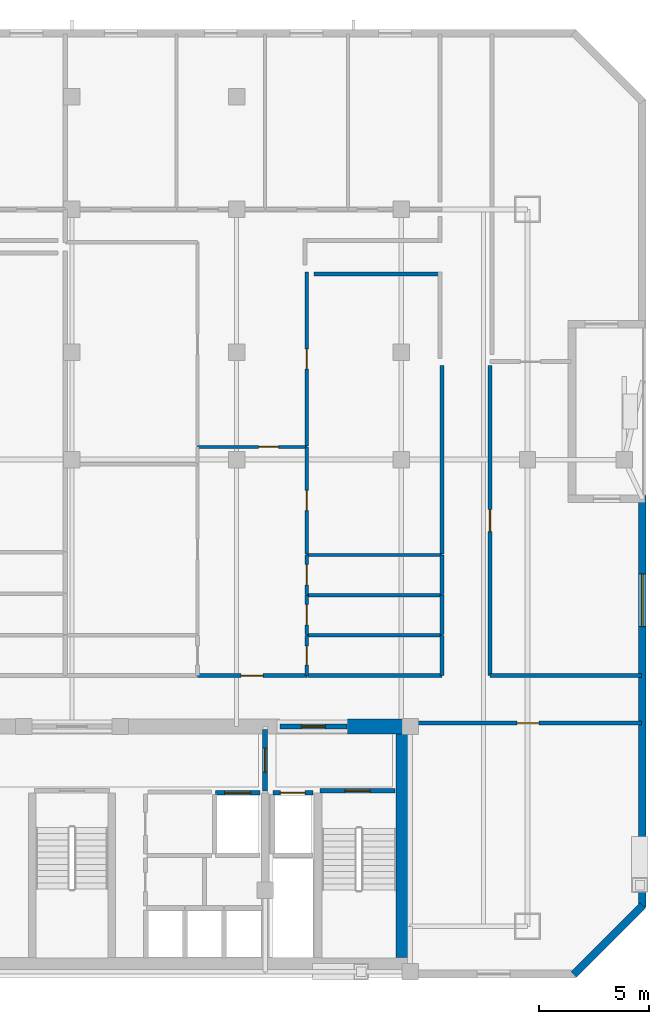
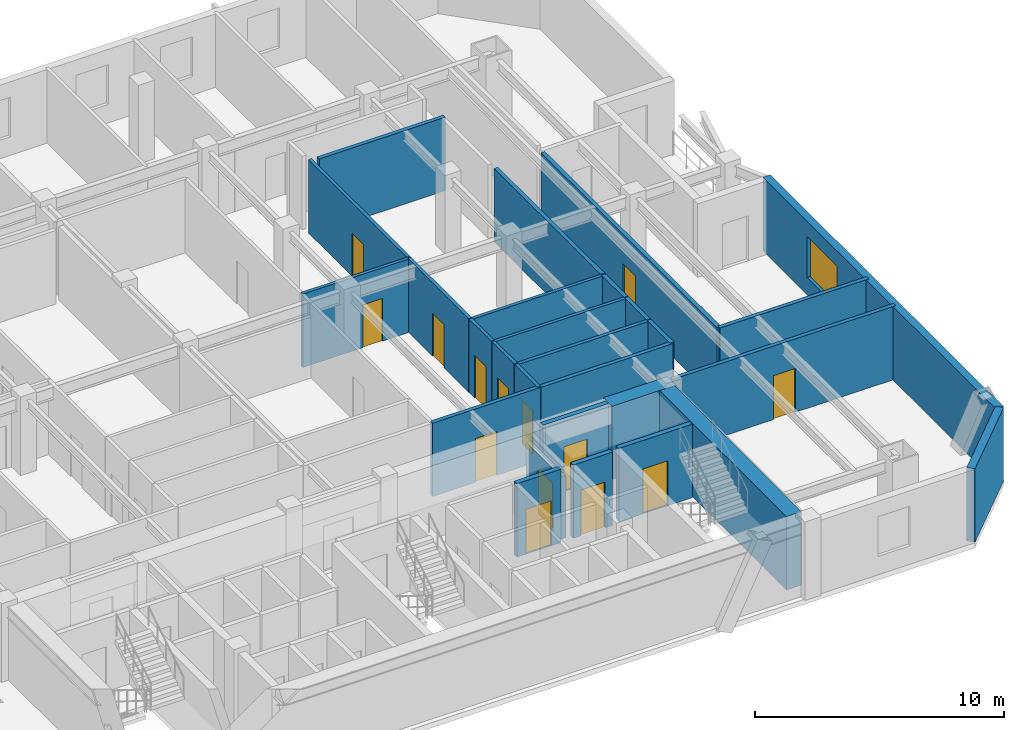
# One storey, part 5 of 9: 28 walls, 14 doors, 1 window, 15 openings.
"""IFC4 building model written with IfcOpenShell, lengths in metres."""

from ifc_helpers import new_model, si_unit, direction, frame, frame_2d, origin, place, context, subcontext, project, spatial, rectangle, extrude, material, layer, layer_set, type_object, element, fill, save


model = new_model("IFC4")

# Units and contexts
model_context = context("Model", 3, precision=1e-05, world=origin(), true_north=direction((0.0, 1.0)))
body_context = subcontext(model_context, "Body", "Model", "MODEL_VIEW")
ifc_project = project(units=[si_unit("LENGTHUNIT", "METRE"), si_unit("AREAUNIT", "SQUARE_METRE"), si_unit("VOLUMEUNIT", "CUBIC_METRE"), si_unit("PLANEANGLEUNIT", "RADIAN"), si_unit("MASSUNIT", "GRAM", prefix="KILO")], contexts=[model_context])

# Site, building, storey
site_placement = place(None, origin())
site = spatial("IfcSite", under=ifc_project, at=site_placement, CompositionType="ELEMENT")
building_placement = place(site_placement, origin())
building = spatial("IfcBuilding", under=site, at=building_placement, Name="Ventersveld Concourse Tower", CompositionType="ELEMENT")
storey_placement = place(building_placement, frame((0.0, 0.0, 115.699951171875)))
storey = spatial("IfcBuildingStorey", under=building, at=storey_placement, Name="L28", CompositionType="ELEMENT", Elevation=115.699951171875)

# Walls
ifc_material_1 = material(Name="Concrete C60/75", Category="concrete")
ifc_layer_1 = layer(ifc_material_1, 0.699951171875)
ifc_layer_set_1 = layer_set([ifc_layer_1], Name="Concrete C60/75")
wall_type_1 = type_object("IfcWallType", Name="WL-CORE-700", PredefinedType="SHEAR", material=ifc_layer_set_1)
wall_1_placement = place(storey_placement, frame((43.85009765625, 0.919921875, 0.0), z_axis=(0.0, 0.0, 1.0), x_axis=(0.0, 1.0, 0.0)))
element("IfcWall", 1, at=wall_1_placement, inside=storey, type_object=wall_type_1, Name="L28 Rear Core East Shear Wall", PredefinedType="SHEAR", context=body_context, shape_type="SweptSolid", body=[
    extrude(rectangle(XDim=10.530029296875, YDim=0.699951171875, at=frame_2d((5.26513671875, 0.0))), origin(), (0.0, 0.0, 1.0), 3.60009765625),
])
wall_2_placement = place(storey_placement, frame((41.300048828125, 11.449951171875, 0.0), z_axis=(0.0, 0.0, 1.0), x_axis=(1.0, 0.0, 0.0)))
element("IfcWall", 2, at=wall_2_placement, inside=storey, type_object=wall_type_1, Name="L28 Rear Core North Shear Wall NE", PredefinedType="SHEAR", context=body_context, shape_type="SweptSolid", body=[
    extrude(rectangle(XDim=2.949951171875, YDim=0.699951171875, at=frame_2d((1.47509765625, 0.0))), origin(), (0.0, 0.0, 1.0), 3.60009765625),
])

# Wall, opening, door
ifc_material_2 = material(Name="Fire-rated autoclaved aerated masonry blockwork", Category="masonry")
ifc_layer_2 = layer(ifc_material_2, 0.179931640625)
ifc_layer_set_2 = layer_set([ifc_layer_2], Name="Fire-rated autoclaved aerated masonry blockwork")
wall_type_2 = type_object("IfcWallType", Name="WL-CORR-180", PredefinedType="PARTITIONING", material=ifc_layer_set_2)
wall_3_placement = place(storey_placement, frame((44.35498046875, 11.60009765625, 0.0), z_axis=(0.0, 0.0, 1.0), x_axis=(1.0, 0.0, 0.0)))
wall_3 = element("IfcWall", 3, at=wall_3_placement, inside=storey, type_object=wall_type_2, Name="L28 Interior Partition SP-L28-SE-OFF-SP-L28-COR", PredefinedType="PARTITIONING", context=body_context, shape_type="SweptSolid", body=[
    extrude(rectangle(XDim=10.3349609375, YDim=0.179931640625, at=frame_2d((5.16748046875, 0.0))), origin(), (0.0, 0.0, 1.0), 3.60009765625),
])
opening_1_placement = place(wall_3_placement, frame((4.66748046875, 0.0, 0.0)))
opening_1 = element("IfcOpeningElement", 4, at=opening_1_placement, cuts=wall_3, Name="Opening FD3", PredefinedType="OPENING", context=body_context, shape_type="SweptSolid", body=[
    extrude(rectangle(XDim=1.0, YDim=2.14990234375, at=frame_2d((0.5, 1.074951171875))), frame((0.0, 0.10009765625, 0.0), z_axis=(0.0, -1.0, 0.0), x_axis=(1.0, 0.0, 0.0)), (0.0, 0.0, 1.0), 0.199951171875),
])
ifc_material_3 = material(Name="Solid-core hardwood veneer timber", Category="wood")
door_type_1 = type_object("IfcDoorType", Name="DR-FLAT-100", OperationType="NOTDEFINED", PredefinedType="DOOR", material=ifc_material_3)
door_1_placement = place(opening_1_placement, origin())
door_1 = element("IfcDoor", 5, at=door_1_placement, inside=storey, type_object=door_type_1, Name="L28 Interior Door SP-L28-SE-OFF to SP-L28-COR (D-L28-1385)", OperationType="SINGLE_SWING_LEFT", OverallHeight=2.14990234375, OverallWidth=1.0, PredefinedType="DOOR", context=body_context, shape_type="SweptSolid", body=[
    extrude(rectangle(XDim=1.0, YDim=2.14990234375, at=frame_2d((0.5, 1.074951171875))), frame((0.0, 0.02490234375, 0.0), z_axis=(0.0, -1.0, 0.0), x_axis=(1.0, 0.0, 0.0)), (0.0, 0.0, 1.0), 0.050048828125),
])
fill(opening_1, door_1)

wall_4_placement = place(storey_placement, frame((47.7900390625, 13.764892578125, 0.0), z_axis=(0.0, 0.0, 1.0), x_axis=(0.0, 1.0, 0.0)))
wall_4 = element("IfcWall", 6, at=wall_4_placement, inside=storey, type_object=wall_type_2, Name="L28 Interior Partition SP-L28-COR-SP-L28-NELNG1", PredefinedType="PARTITIONING", context=body_context, shape_type="SweptSolid", body=[
    extrude(rectangle(XDim=14.130126953125, YDim=0.179931640625, at=frame_2d((7.06494140625, 0.0))), origin(), (0.0, 0.0, 1.0), 3.60009765625),
])
opening_2_placement = place(wall_4_placement, frame((6.56494140625, 0.0, 0.0)))
opening_2 = element("IfcOpeningElement", 7, at=opening_2_placement, cuts=wall_4, Name="Opening FD3", PredefinedType="OPENING", context=body_context, shape_type="SweptSolid", body=[
    extrude(rectangle(XDim=1.0, YDim=2.14990234375, at=frame_2d((0.5, 1.074951171875))), frame((0.0, 0.10009765625, 0.0), z_axis=(0.0, -1.0, 0.0), x_axis=(1.0, 0.0, 0.0)), (0.0, 0.0, 1.0), 0.199951171875),
])
door_2_placement = place(opening_2_placement, origin())
door_2 = element("IfcDoor", 8, at=door_2_placement, inside=storey, type_object=door_type_1, Name="L28 Interior Door SP-L28-COR to SP-L28-NELNG1 (D-L28-1387)", OperationType="SINGLE_SWING_LEFT", OverallHeight=2.14990234375, OverallWidth=1.0, PredefinedType="DOOR", context=body_context, shape_type="SweptSolid", body=[
    extrude(rectangle(XDim=1.0, YDim=2.14990234375, at=frame_2d((0.5, 1.074951171875))), frame((0.0, 0.02490234375, 0.0), z_axis=(0.0, -1.0, 0.0), x_axis=(1.0, 0.0, 0.0)), (0.0, 0.0, 1.0), 0.050048828125),
])
fill(opening_2, door_2)

# Wall
wall_5_placement = place(storey_placement, frame((47.784912109375, 13.77001953125, 0.0), z_axis=(0.0, 0.0, 1.0), x_axis=(1.0, 0.0, 0.0)))
element("IfcWall", 9, at=wall_5_placement, inside=storey, type_object=wall_type_2, Name="L28 Interior Partition SP-L28-COR-SP-L28-NELNG1", PredefinedType="PARTITIONING", context=body_context, shape_type="SweptSolid", body=[
    extrude(rectangle(XDim=6.905029296875, YDim=0.179931640625, at=frame_2d((3.45263671875, 0.0))), origin(), (0.0, 0.0, 1.0), 3.60009765625),
])

# Wall, opening, door
wall_6_placement = place(storey_placement, frame((34.4658203125, 13.77001953125, 0.0), z_axis=(0.0, 0.0, 1.0), x_axis=(1.0, 0.0, 0.0)))
wall_6 = element("IfcWall", 10, at=wall_6_placement, inside=storey, type_object=wall_type_2, Name="L28 Interior Partition SP-L28-COR-SP-L28-28N2-FOY", PredefinedType="PARTITIONING", context=body_context, shape_type="SweptSolid", body=[
    extrude(rectangle(XDim=4.989990234375, YDim=0.179931640625, at=frame_2d((2.4951171875, 0.0))), origin(), (0.0, 0.0, 1.0), 3.60009765625),
])
opening_3_placement = place(wall_6_placement, frame((1.9951171875, 0.0, 0.0)))
opening_3 = element("IfcOpeningElement", 11, at=opening_3_placement, cuts=wall_6, Name="Opening FD3", PredefinedType="OPENING", context=body_context, shape_type="SweptSolid", body=[
    extrude(rectangle(XDim=1.0, YDim=2.14990234375, at=frame_2d((0.5, 1.074951171875))), frame((0.0, 0.10009765625, 0.0), z_axis=(0.0, -1.0, 0.0), x_axis=(1.0, 0.0, 0.0)), (0.0, 0.0, 1.0), 0.199951171875),
])
door_3_placement = place(opening_3_placement, origin())
door_3 = element("IfcDoor", 12, at=door_3_placement, inside=storey, type_object=door_type_1, Name="L28 Interior Door SP-L28-COR to SP-L28-28N2-FOY (FD-L28-1389)", OperationType="SINGLE_SWING_LEFT", OverallHeight=2.14990234375, OverallWidth=1.0, PredefinedType="DOOR", context=body_context, shape_type="SweptSolid", body=[
    extrude(rectangle(XDim=1.0, YDim=2.14990234375, at=frame_2d((0.5, 1.074951171875))), frame((0.0, 0.02490234375, 0.0), z_axis=(0.0, -1.0, 0.0), x_axis=(1.0, 0.0, 0.0)), (0.0, 0.0, 1.0), 0.050048828125),
])
fill(opening_3, door_3)

# Walls
wall_7_placement = place(storey_placement, frame((39.48583984375, 13.77001953125, 0.0), z_axis=(0.0, 0.0, 1.0), x_axis=(1.0, 0.0, 0.0)))
element("IfcWall", 13, at=wall_7_placement, inside=storey, type_object=wall_type_2, Name="L28 Interior Partition SP-L28-COR-SP-L28-28N2-PWDR3", PredefinedType="PARTITIONING", context=body_context, shape_type="SweptSolid", body=[
    extrude(rectangle(XDim=6.129150390625, YDim=0.179931640625, at=frame_2d((3.064453125, 0.0))), origin(), (0.0, 0.0, 1.0), 3.60009765625),
])
wall_8_placement = place(storey_placement, frame((45.610107421875, 13.764892578125, 0.0), z_axis=(0.0, 0.0, 1.0), x_axis=(0.0, 1.0, 0.0)))
element("IfcWall", 14, at=wall_8_placement, inside=storey, type_object=wall_type_2, Name="L28 Interior Partition SP-L28-COR-SP-L28-28N2-PWDR3", PredefinedType="PARTITIONING", context=body_context, shape_type="SweptSolid", body=[
    extrude(rectangle(XDim=1.840087890625, YDim=0.179931640625, at=frame_2d((0.919921875, 0.0))), origin(), (0.0, 0.0, 1.0), 3.60009765625),
])
wall_9_placement = place(storey_placement, frame((45.610107421875, 15.635009765625, 0.0), z_axis=(0.0, 0.0, 1.0), x_axis=(0.0, 1.0, 0.0)))
element("IfcWall", 15, at=wall_9_placement, inside=storey, type_object=wall_type_2, Name="L28 Interior Partition SP-L28-COR-SP-L28-28N2-KIT", PredefinedType="PARTITIONING", context=body_context, shape_type="SweptSolid", body=[
    extrude(rectangle(XDim=1.800048828125, YDim=0.179931640625, at=frame_2d((0.89990234375, 0.0))), origin(), (0.0, 0.0, 1.0), 3.60009765625),
])
wall_10_placement = place(storey_placement, frame((45.610107421875, 17.465087890625, 0.0), z_axis=(0.0, 0.0, 1.0), x_axis=(0.0, 1.0, 0.0)))
element("IfcWall", 16, at=wall_10_placement, inside=storey, type_object=wall_type_2, Name="L28 Interior Partition SP-L28-COR-SP-L28-28N2-PANR1", PredefinedType="PARTITIONING", context=body_context, shape_type="SweptSolid", body=[
    extrude(rectangle(XDim=1.7998046875, YDim=0.179931640625, at=frame_2d((0.89990234375, 0.0))), origin(), (0.0, 0.0, 1.0), 3.60009765625),
])
wall_11_placement = place(storey_placement, frame((45.610107421875, 19.294921875, 0.0), z_axis=(0.0, 0.0, 1.0), x_axis=(0.0, 1.0, 0.0)))
element("IfcWall", 17, at=wall_11_placement, inside=storey, type_object=wall_type_2, Name="L28 Interior Partition SP-L28-COR-SP-L28-28N2-DENR", PredefinedType="PARTITIONING", context=body_context, shape_type="SweptSolid", body=[
    extrude(rectangle(XDim=8.60009765625, YDim=0.179931640625, at=frame_2d((4.300048828125, 0.0))), origin(), (0.0, 0.0, 1.0), 3.60009765625),
])
wall_12_placement = place(storey_placement, frame((39.77587890625, 32.060791015625, 0.0), z_axis=(0.0, 0.0, 1.0), x_axis=(1.0, 0.0, 0.0)))
element("IfcWall", 18, at=wall_12_placement, inside=storey, type_object=wall_type_2, Name="L28 Room Enclosure Wall SP-L28-28N2-DENR", PredefinedType="PARTITIONING", context=body_context, shape_type="SweptSolid", body=[
    extrude(rectangle(XDim=5.839111328125, YDim=0.179931640625, at=frame_2d((2.91943359375, 0.0))), origin(), (0.0, 0.0, 1.0), 3.60009765625),
])

# Wall, opening, door
ifc_layer_3 = layer(ifc_material_2, 0.219970703125)
ifc_layer_set_3 = layer_set([ifc_layer_3], Name="Fire-rated autoclaved aerated masonry blockwork")
wall_type_3 = type_object("IfcWallType", Name="WL-HOIST-220", PredefinedType="SOLIDWALL", material=ifc_layer_set_3)
wall_13_placement = place(storey_placement, frame((37.89990234375, 8.429931640625, 0.0), z_axis=(0.0, 0.0, 1.0), x_axis=(1.0, 0.0, 0.0)))
wall_13 = element("IfcWall", 19, at=wall_13_placement, inside=storey, type_object=wall_type_3, Name="L28 Lift Hoistway Front Wall FFL-02", PredefinedType="SOLIDWALL", context=body_context, shape_type="SweptSolid", body=[
    extrude(rectangle(XDim=1.820068359375, YDim=0.219970703125, at=frame_2d((0.91015625, 0.0))), origin(), (0.0, 0.0, 1.0), 3.60009765625),
])
opening_4_placement = place(wall_13_placement, frame((0.35009765625, 0.0, 0.0)))
opening_4 = element("IfcOpeningElement", 20, at=opening_4_placement, cuts=wall_13, Name="Opening LD1", PredefinedType="OPENING", context=body_context, shape_type="SweptSolid", body=[
    extrude(rectangle(XDim=1.1201171875, YDim=2.25, at=frame_2d((0.56005859375, 1.125))), frame((0.0, 0.1201171875, 0.0), z_axis=(0.0, -1.0, 0.0), x_axis=(1.0, 0.0, 0.0)), (0.0, 0.0, 1.0), 0.239990234375),
])
ifc_material_4 = material(Name="Brushed stainless steel 316", Category="steel")
door_type_2 = type_object("IfcDoorType", Name="LD-FF-112", OperationType="SLIDING_TO_LEFT", PredefinedType="DOOR", material=ifc_material_4)
door_4_placement = place(opening_4_placement, origin())
door_4 = element("IfcDoor", 21, at=door_4_placement, inside=storey, type_object=door_type_2, Name="L28 Lift landing door FFL-02 (LD-L28-FFL-02)", OperationType="SLIDING_TO_RIGHT", OverallHeight=2.25, OverallWidth=1.1201171875, PredefinedType="DOOR", context=body_context, shape_type="SweptSolid", body=[
    extrude(rectangle(XDim=1.1201171875, YDim=2.25, at=frame_2d((0.56005859375, 1.125))), frame((0.0, 0.02490234375, 0.0), z_axis=(0.0, -1.0, 0.0), x_axis=(1.0, 0.0, 0.0)), (0.0, 0.0, 1.0), 0.050048828125),
])
fill(opening_4, door_4)

wall_14_placement = place(storey_placement, frame((35.280029296875, 8.429931640625, 0.0), z_axis=(0.0, 0.0, 1.0), x_axis=(1.0, 0.0, 0.0)))
wall_14 = element("IfcWall", 22, at=wall_14_placement, inside=storey, type_object=wall_type_3, Name="L28 Lift Hoistway Front Wall SVL-01", PredefinedType="SOLIDWALL", context=body_context, shape_type="SweptSolid", body=[
    extrude(rectangle(XDim=2.0400390625, YDim=0.219970703125, at=frame_2d((1.02001953125, 0.0))), origin(), (0.0, 0.0, 1.0), 3.60009765625),
])
opening_5_placement = place(wall_14_placement, frame((0.429931640625, 0.0, 0.0)))
opening_5 = element("IfcOpeningElement", 23, at=opening_5_placement, cuts=wall_14, Name="Opening LD2", PredefinedType="OPENING", context=body_context, shape_type="SweptSolid", body=[
    extrude(rectangle(XDim=1.179931640625, YDim=2.199951171875, at=frame_2d((0.58984375, 1.10009765625))), frame((0.0, 0.1201171875, 0.0), z_axis=(0.0, -1.0, 0.0), x_axis=(1.0, 0.0, 0.0)), (0.0, 0.0, 1.0), 0.239990234375),
])
door_type_3 = type_object("IfcDoorType", Name="LD-PAX-118", OperationType="SLIDING_TO_LEFT", PredefinedType="DOOR", material=ifc_material_4)
door_5_placement = place(opening_5_placement, origin())
door_5 = element("IfcDoor", 24, at=door_5_placement, inside=storey, type_object=door_type_3, Name="L28 Lift landing door SVL-01 (LD-L28-SVL-01)", OperationType="SLIDING_TO_LEFT", OverallHeight=2.199951171875, OverallWidth=1.179931640625, PredefinedType="DOOR", context=body_context, shape_type="SweptSolid", body=[
    extrude(rectangle(XDim=1.179931640625, YDim=2.199951171875, at=frame_2d((0.58984375, 1.10009765625))), frame((0.0, 0.02490234375, 0.0), z_axis=(0.0, -1.0, 0.0), x_axis=(1.0, 0.0, 0.0)), (0.0, 0.0, 1.0), 0.050048828125),
])
fill(opening_5, door_5)

wall_15_placement = place(storey_placement, frame((40.06005859375, 8.52001953125, 0.0), z_axis=(0.0, 0.0, 1.0), x_axis=(1.0, 0.0, 0.0)))
wall_15 = element("IfcWall", 25, at=wall_15_placement, inside=storey, type_object=wall_type_3, Name="L28 Escape Stair ST02 Fire Wall", PredefinedType="SOLIDWALL", context=body_context, shape_type="SweptSolid", body=[
    extrude(rectangle(XDim=3.39990234375, YDim=0.219970703125, at=frame_2d((1.699951171875, 0.0))), origin(), (0.0, 0.0, 1.0), 3.60009765625),
])
opening_6_placement = place(wall_15_placement, frame((1.125, 0.0, 0.0)))
opening_6 = element("IfcOpeningElement", 26, at=opening_6_placement, cuts=wall_15, Name="Opening FD1", PredefinedType="OPENING", context=body_context, shape_type="SweptSolid", body=[
    extrude(rectangle(XDim=1.14990234375, YDim=2.199951171875, at=frame_2d((0.574951171875, 1.10009765625))), frame((0.0, 0.1201171875, 0.0), z_axis=(0.0, -1.0, 0.0), x_axis=(1.0, 0.0, 0.0)), (0.0, 0.0, 1.0), 0.239990234375),
])
ifc_material_5 = material(Name="Galvanised painted steel", Category="steel")
door_type_4 = type_object("IfcDoorType", Name="DR-STAIR-115", OperationType="NOTDEFINED", PredefinedType="DOOR", material=ifc_material_5)
door_6_placement = place(opening_6_placement, origin())
door_6 = element("IfcDoor", 27, at=door_6_placement, inside=storey, type_object=door_type_4, Name="L28 Escape Stair Door ST02 (SD-L28-1375)", OperationType="SINGLE_SWING_RIGHT", OverallHeight=2.199951171875, OverallWidth=1.14990234375, PredefinedType="DOOR", context=body_context, shape_type="SweptSolid", body=[
    extrude(rectangle(XDim=1.14990234375, YDim=2.199951171875, at=frame_2d((0.574951171875, 1.10009765625))), frame((0.0, 0.02490234375, 0.0), z_axis=(0.0, -1.0, 0.0), x_axis=(1.0, 0.0, 0.0)), (0.0, 0.0, 1.0), 0.050048828125),
])
fill(opening_6, door_6)

wall_16_placement = place(storey_placement, frame((37.550048828125, 8.52001953125, 0.0), z_axis=(0.0, 0.0, 1.0), x_axis=(0.0, 1.0, 0.0)))
wall_16 = element("IfcWall", 28, at=wall_16_placement, inside=storey, type_object=wall_type_3, Name="L28 Firefighting Lobby Smoke-Stop Wall FFLE-SEP", PredefinedType="SOLIDWALL", context=body_context, shape_type="SweptSolid", body=[
    extrude(rectangle(XDim=2.800048828125, YDim=0.219970703125, at=frame_2d((1.39990234375, 0.0))), origin(), (0.0, 0.0, 1.0), 3.0556640625),
])
opening_7_placement = place(wall_16_placement, frame((0.85009765625, 0.0, 0.0)))
opening_7 = element("IfcOpeningElement", 29, at=opening_7_placement, cuts=wall_16, Name="Opening FD2", PredefinedType="OPENING", context=body_context, shape_type="SweptSolid", body=[
    extrude(rectangle(XDim=1.10009765625, YDim=2.199951171875, at=frame_2d((0.550048828125, 1.10009765625))), frame((0.0, 0.1201171875, 0.0), z_axis=(0.0, -1.0, 0.0), x_axis=(1.0, 0.0, 0.0)), (0.0, 0.0, 1.0), 0.239990234375),
])
door_type_5 = type_object("IfcDoorType", Name="DR-FFL-110", OperationType="NOTDEFINED", PredefinedType="DOOR", material=ifc_material_5)
door_7_placement = place(opening_7_placement, origin())
door_7 = element("IfcDoor", 30, at=door_7_placement, inside=storey, type_object=door_type_5, Name="L28 Firefighting Lobby Door FFLE-SEP (FD-L28-1378)", OperationType="SINGLE_SWING_RIGHT", OverallHeight=2.199951171875, OverallWidth=1.10009765625, PredefinedType="DOOR", context=body_context, shape_type="SweptSolid", body=[
    extrude(rectangle(XDim=1.10009765625, YDim=2.199951171875, at=frame_2d((0.550048828125, 1.10009765625))), frame((0.0, 0.02490234375, 0.0), z_axis=(0.0, -1.0, 0.0), x_axis=(1.0, 0.0, 0.0)), (0.0, 0.0, 1.0), 0.050048828125),
])
fill(opening_7, door_7)

wall_17_placement = place(storey_placement, frame((38.22998046875, 11.449951171875, 0.0), z_axis=(0.0, 0.0, 1.0), x_axis=(1.0, 0.0, 0.0)))
wall_17 = element("IfcWall", 31, at=wall_17_placement, inside=storey, type_object=wall_type_3, Name="L28 Core North Fire Portal FFLE-OUT", PredefinedType="SOLIDWALL", context=body_context, shape_type="SweptSolid", body=[
    extrude(rectangle(XDim=3.0400390625, YDim=0.219970703125, at=frame_2d((1.52001953125, 0.0))), origin(), (0.0, 0.0, 1.0), 3.60009765625),
])
opening_8_placement = place(wall_17_placement, frame((0.969970703125, 0.0, 0.0)))
opening_8 = element("IfcOpeningElement", 32, at=opening_8_placement, cuts=wall_17, Name="Opening FD2", PredefinedType="OPENING", context=body_context, shape_type="SweptSolid", body=[
    extrude(rectangle(XDim=1.10009765625, YDim=2.199951171875, at=frame_2d((0.550048828125, 1.10009765625))), frame((0.0, 0.1201171875, 0.0), z_axis=(0.0, -1.0, 0.0), x_axis=(1.0, 0.0, 0.0)), (0.0, 0.0, 1.0), 0.239990234375),
])
door_8_placement = place(opening_8_placement, origin())
door_8 = element("IfcDoor", 33, at=door_8_placement, inside=storey, type_object=door_type_5, Name="L28 Core Lobby Fire Door FFLE-OUT (FD-L28-1381)", OperationType="SINGLE_SWING_LEFT", OverallHeight=2.199951171875, OverallWidth=1.10009765625, PredefinedType="DOOR", context=body_context, shape_type="SweptSolid", body=[
    extrude(rectangle(XDim=1.10009765625, YDim=2.199951171875, at=frame_2d((0.550048828125, 1.10009765625))), frame((0.0, 0.02490234375, 0.0), z_axis=(0.0, -1.0, 0.0), x_axis=(1.0, 0.0, 0.0)), (0.0, 0.0, 1.0), 0.050048828125),
])
fill(opening_8, door_8)

ifc_material_6 = material(Name="Autoclaved aerated masonry blockwork", Category="masonry")
ifc_layer_4 = layer(ifc_material_6, 0.14990234375)
ifc_layer_set_4 = layer_set([ifc_layer_4], Name="Autoclaved aerated masonry blockwork")
wall_type_4 = type_object("IfcWallType", Name="WL-INT-150", PredefinedType="PARTITIONING", material=ifc_layer_set_4)
wall_18_placement = place(storey_placement, frame((34.4658203125, 24.181884765625, 0.0), z_axis=(0.0, 0.0, 1.0), x_axis=(1.0, 0.0, 0.0)))
wall_18 = element("IfcWall", 34, at=wall_18_placement, inside=storey, type_object=wall_type_4, Name="L28 Interior Partition SP-L28-28N2-FOY-SP-L28-28N2-LIV", PredefinedType="PARTITIONING", context=body_context, shape_type="SweptSolid", body=[
    extrude(rectangle(XDim=4.989990234375, YDim=0.14990234375, at=frame_2d((2.4951171875, 0.0))), origin(), (0.0, 0.0, 1.0), 3.60009765625),
])
opening_9_placement = place(wall_18_placement, frame((2.783447265625, 0.0, 0.0)))
opening_9 = element("IfcOpeningElement", 35, at=opening_9_placement, cuts=wall_18, Name="Opening ID1", PredefinedType="OPENING", context=body_context, shape_type="SweptSolid", body=[
    extrude(rectangle(XDim=0.919921875, YDim=2.10009765625, at=frame_2d((0.4599609375, 1.050048828125))), frame((0.0, 0.0849609375, 0.0), z_axis=(0.0, -1.0, 0.0), x_axis=(1.0, 0.0, 0.0)), (0.0, 0.0, 1.0), 0.169921875),
])
door_type_6 = type_object("IfcDoorType", Name="DR-ROOM-092", OperationType="NOTDEFINED", PredefinedType="DOOR", material=ifc_material_3)
door_9_placement = place(opening_9_placement, origin())
door_9 = element("IfcDoor", 36, at=door_9_placement, inside=storey, type_object=door_type_6, Name="L28 Interior Door SP-L28-28N2-FOY to SP-L28-28N2-LIV (D-L28-1406)", OperationType="SINGLE_SWING_RIGHT", OverallHeight=2.10009765625, OverallWidth=0.919921875, PredefinedType="DOOR", context=body_context, shape_type="SweptSolid", body=[
    extrude(rectangle(XDim=0.919921875, YDim=2.10009765625, at=frame_2d((0.4599609375, 1.050048828125))), frame((0.0, 0.02490234375, 0.0), z_axis=(0.0, -1.0, 0.0), x_axis=(1.0, 0.0, 0.0)), (0.0, 0.0, 1.0), 0.050048828125),
])
fill(opening_9, door_9)

wall_19_placement = place(storey_placement, frame((39.45068359375, 15.635009765625, 0.0), z_axis=(0.0, 0.0, 1.0), x_axis=(0.0, 1.0, 0.0)))
wall_19 = element("IfcWall", 37, at=wall_19_placement, inside=storey, type_object=wall_type_4, Name="L28 Interior Partition SP-L28-28N2-FOY-SP-L28-28N2-KIT", PredefinedType="PARTITIONING", context=body_context, shape_type="SweptSolid", body=[
    extrude(rectangle(XDim=1.800048828125, YDim=0.14990234375, at=frame_2d((0.89990234375, 0.0))), origin(), (0.0, 0.0, 1.0), 3.60009765625),
])
opening_10_placement = place(wall_19_placement, frame((0.43994140625, 0.0, 0.0)))
opening_10 = element("IfcOpeningElement", 38, at=opening_10_placement, cuts=wall_19, Name="Opening ID1", PredefinedType="OPENING", context=body_context, shape_type="SweptSolid", body=[
    extrude(rectangle(XDim=0.919921875, YDim=2.10009765625, at=frame_2d((0.4599609375, 1.050048828125))), frame((0.0, 0.0849609375, 0.0), z_axis=(0.0, -1.0, 0.0), x_axis=(1.0, 0.0, 0.0)), (0.0, 0.0, 1.0), 0.169921875),
])
door_10_placement = place(opening_10_placement, origin())
door_10 = element("IfcDoor", 39, at=door_10_placement, inside=storey, type_object=door_type_6, Name="L28 Interior Door SP-L28-28N2-FOY to SP-L28-28N2-KIT (D-L28-1410)", OperationType="SINGLE_SWING_RIGHT", OverallHeight=2.10009765625, OverallWidth=0.919921875, PredefinedType="DOOR", context=body_context, shape_type="SweptSolid", body=[
    extrude(rectangle(XDim=0.919921875, YDim=2.10009765625, at=frame_2d((0.4599609375, 1.050048828125))), frame((0.0, 0.02490234375, 0.0), z_axis=(0.0, -1.0, 0.0), x_axis=(1.0, 0.0, 0.0)), (0.0, 0.0, 1.0), 0.050048828125),
])
fill(opening_10, door_10)

wall_20_placement = place(storey_placement, frame((39.45068359375, 17.465087890625, 0.0), z_axis=(0.0, 0.0, 1.0), x_axis=(0.0, 1.0, 0.0)))
wall_20 = element("IfcWall", 40, at=wall_20_placement, inside=storey, type_object=wall_type_4, Name="L28 Interior Partition SP-L28-28N2-FOY-SP-L28-28N2-PANR1", PredefinedType="PARTITIONING", context=body_context, shape_type="SweptSolid", body=[
    extrude(rectangle(XDim=1.7998046875, YDim=0.14990234375, at=frame_2d((0.89990234375, 0.0))), origin(), (0.0, 0.0, 1.0), 3.60009765625),
])
opening_11_placement = place(wall_20_placement, frame((0.43994140625, 0.0, 0.0)))
opening_11 = element("IfcOpeningElement", 41, at=opening_11_placement, cuts=wall_20, Name="Opening ID1", PredefinedType="OPENING", context=body_context, shape_type="SweptSolid", body=[
    extrude(rectangle(XDim=0.919921875, YDim=2.10009765625, at=frame_2d((0.4599609375, 1.050048828125))), frame((0.0, 0.0849609375, 0.0), z_axis=(0.0, -1.0, 0.0), x_axis=(1.0, 0.0, 0.0)), (0.0, 0.0, 1.0), 0.169921875),
])
door_11_placement = place(opening_11_placement, origin())
door_11 = element("IfcDoor", 42, at=door_11_placement, inside=storey, type_object=door_type_6, Name="L28 Interior Door SP-L28-28N2-FOY to SP-L28-28N2-PANR1 (D-L28-1411)", OperationType="SINGLE_SWING_LEFT", OverallHeight=2.10009765625, OverallWidth=0.919921875, PredefinedType="DOOR", context=body_context, shape_type="SweptSolid", body=[
    extrude(rectangle(XDim=0.919921875, YDim=2.10009765625, at=frame_2d((0.4599609375, 1.050048828125))), frame((0.0, 0.02490234375, 0.0), z_axis=(0.0, -1.0, 0.0), x_axis=(1.0, 0.0, 0.0)), (0.0, 0.0, 1.0), 0.050048828125),
])
fill(opening_11, door_11)

wall_21_placement = place(storey_placement, frame((39.45068359375, 19.294921875, 0.0), z_axis=(0.0, 0.0, 1.0), x_axis=(0.0, 1.0, 0.0)))
wall_21 = element("IfcWall", 43, at=wall_21_placement, inside=storey, type_object=wall_type_4, Name="L28 Interior Partition SP-L28-28N2-FOY-SP-L28-28N2-DENR", PredefinedType="PARTITIONING", context=body_context, shape_type="SweptSolid", body=[
    extrude(rectangle(XDim=4.89208984375, YDim=0.14990234375, at=frame_2d((2.446044921875, 0.0))), origin(), (0.0, 0.0, 1.0), 3.60009765625),
])
opening_12_placement = place(wall_21_placement, frame((1.986083984375, 0.0, 0.0)))
opening_12 = element("IfcOpeningElement", 44, at=opening_12_placement, cuts=wall_21, Name="Opening ID1", PredefinedType="OPENING", context=body_context, shape_type="SweptSolid", body=[
    extrude(rectangle(XDim=0.919921875, YDim=2.10009765625, at=frame_2d((0.4599609375, 1.050048828125))), frame((0.0, 0.0849609375, 0.0), z_axis=(0.0, -1.0, 0.0), x_axis=(1.0, 0.0, 0.0)), (0.0, 0.0, 1.0), 0.169921875),
])
door_12_placement = place(opening_12_placement, origin())
door_12 = element("IfcDoor", 45, at=door_12_placement, inside=storey, type_object=door_type_6, Name="L28 Interior Door SP-L28-28N2-FOY to SP-L28-28N2-DENR (D-L28-1412)", OperationType="SINGLE_SWING_RIGHT", OverallHeight=2.10009765625, OverallWidth=0.919921875, PredefinedType="DOOR", context=body_context, shape_type="SweptSolid", body=[
    extrude(rectangle(XDim=0.919921875, YDim=2.10009765625, at=frame_2d((0.4599609375, 1.050048828125))), frame((0.0, 0.02490234375, 0.0), z_axis=(0.0, -1.0, 0.0), x_axis=(1.0, 0.0, 0.0)), (0.0, 0.0, 1.0), 0.050048828125),
])
fill(opening_12, door_12)

wall_22_placement = place(storey_placement, frame((39.45068359375, 24.217041015625, 0.0), z_axis=(0.0, 0.0, 1.0), x_axis=(0.0, 1.0, 0.0)))
wall_22 = element("IfcWall", 46, at=wall_22_placement, inside=storey, type_object=wall_type_4, Name="L28 Interior Partition SP-L28-28N2-LIV-SP-L28-28N2-DENR", PredefinedType="PARTITIONING", context=body_context, shape_type="SweptSolid", body=[
    extrude(rectangle(XDim=7.938720703125, YDim=0.14990234375, at=frame_2d((3.96923828125, 0.0))), origin(), (0.0, 0.0, 1.0), 3.60009765625),
])
opening_13_placement = place(wall_22_placement, frame((3.509521484375, 0.0, 0.0)))
opening_13 = element("IfcOpeningElement", 47, at=opening_13_placement, cuts=wall_22, Name="Opening ID1", PredefinedType="OPENING", context=body_context, shape_type="SweptSolid", body=[
    extrude(rectangle(XDim=0.919921875, YDim=2.10009765625, at=frame_2d((0.4599609375, 1.050048828125))), frame((0.0, 0.0849609375, 0.0), z_axis=(0.0, -1.0, 0.0), x_axis=(1.0, 0.0, 0.0)), (0.0, 0.0, 1.0), 0.169921875),
])
door_13_placement = place(opening_13_placement, origin())
door_13 = element("IfcDoor", 48, at=door_13_placement, inside=storey, type_object=door_type_6, Name="L28 Interior Door SP-L28-28N2-LIV to SP-L28-28N2-DENR (D-L28-1414)", OperationType="SINGLE_SWING_RIGHT", OverallHeight=2.10009765625, OverallWidth=0.919921875, PredefinedType="DOOR", context=body_context, shape_type="SweptSolid", body=[
    extrude(rectangle(XDim=0.919921875, YDim=2.10009765625, at=frame_2d((0.4599609375, 1.050048828125))), frame((0.0, 0.02490234375, 0.0), z_axis=(0.0, -1.0, 0.0), x_axis=(1.0, 0.0, 0.0)), (0.0, 0.0, 1.0), 0.050048828125),
])
fill(opening_13, door_13)

# Walls
for number, where, z_axis, x_axis, name in (
    (49, (39.44580078125, 17.429931640625, 0.0), (0.0, 0.0, 1.0), (1.0, 0.0, 0.0), "L28 Interior Partition SP-L28-28N2-KIT-SP-L28-28N2-PANR1"),
    (50, (39.44580078125, 19.260009765625, 0.0), (0.0, 0.0, 1.0), (1.0, 0.0, 0.0), "L28 Interior Partition SP-L28-28N2-PANR1-SP-L28-28N2-DENR"),
):
    element("IfcWall", number, at=place(storey_placement, frame(where, z_axis=z_axis, x_axis=x_axis)), inside=storey, type_object=wall_type_4, Name=name, PredefinedType="PARTITIONING", context=body_context, shape_type="SweptSolid", body=[
        extrude(rectangle(XDim=6.169189453125, YDim=0.14990234375, at=frame_2d((3.08447265625, 0.0))), origin(), (0.0, 0.0, 1.0), 3.60009765625),
    ])
ifc_material_7 = material(Name="Precast concrete C45/55", Category="concrete")
ifc_layer_5 = layer(ifc_material_7, 0.35009765625)
ifc_layer_set_5 = layer_set([ifc_layer_5], Name="Precast concrete C45/55")
wall_type_5 = type_object("IfcWallType", Name="WL-PREC-350", PredefinedType="SOLIDWALL", material=ifc_layer_set_5)
wall_23_placement = place(storey_placement, frame((51.6044921875, 0.152099609375, 0.0), z_axis=(0.0, 0.0, 1.0), x_axis=(0.707134240044, 0.707079321262, 0.0)))
element("IfcWall", 51, at=wall_23_placement, inside=storey, type_object=wall_type_5, Name="L28 Highveld Precast Facade Wall E02", PredefinedType="SOLIDWALL", context=body_context, shape_type="SweptSolid", body=[
    extrude(rectangle(XDim=4.445556640625, YDim=0.35009765625, at=frame_2d((2.22265625, 0.0))), origin(), (0.0, 0.0, 1.0), 3.60009765625),
])

# Wall, opening, window
wall_24_placement = place(storey_placement, frame((54.72509765625, 3.239990234375, 0.0), z_axis=(0.0, 0.0, 1.0), x_axis=(0.0, 1.0, 0.0)))
wall_24 = element("IfcWall", 52, at=wall_24_placement, inside=storey, type_object=wall_type_5, Name="L28 Highveld Precast Facade Wall E03", PredefinedType="SOLIDWALL", context=body_context, shape_type="SweptSolid", body=[
    extrude(rectangle(XDim=18.719970703125, YDim=0.35009765625, at=frame_2d((9.35986328125, 0.0))), origin(), (0.0, 0.0, 1.0), 3.60009765625),
])
opening_14_placement = place(wall_24_placement, frame((12.757568359375, 0.0, 0.85009765625)))
opening_14 = element("IfcOpeningElement", 53, at=opening_14_placement, cuts=wall_24, Name="Opening W5", PredefinedType="OPENING", context=body_context, shape_type="SweptSolid", body=[
    extrude(rectangle(XDim=2.39990234375, YDim=2.0, at=frame_2d((1.199951171875, 1.0))), frame((0.0, 0.18505859375, 0.0), z_axis=(0.0, -1.0, 0.0), x_axis=(1.0, 0.0, 0.0)), (0.0, 0.0, 1.0), 0.3701171875),
])
ifc_material_8 = material(Name="Tempered acoustic Low-E IGU", Category="glass")
window_type = type_object("IfcWindowType", Name="WIN-240x210", PartitioningType="SINGLE_PANEL", PredefinedType="WINDOW", material=ifc_material_8)
window_placement = place(opening_14_placement, origin())
window = element("IfcWindow", 54, at=window_placement, inside=storey, type_object=window_type, Name="L28 Punched Low-E Window W-0345", OverallHeight=2.0, OverallWidth=2.39990234375, PartitioningType="SINGLE_PANEL", PredefinedType="WINDOW", context=body_context, shape_type="SweptSolid", body=[
    extrude(rectangle(XDim=2.39990234375, YDim=2.0, at=frame_2d((1.199951171875, 1.0))), frame((0.0, 0.030029296875, 0.0), z_axis=(0.0, -1.0, 0.0), x_axis=(1.0, 0.0, 0.0)), (0.0, 0.0, 1.0), 0.06005859375),
])
fill(opening_14, window)

# Wall, opening, door
ifc_layer_6 = layer(ifc_material_6, 0.1650390625)
ifc_layer_set_6 = layer_set([ifc_layer_6], Name="Autoclaved aerated masonry blockwork")
wall_type_6 = type_object("IfcWallType", Name="WL-WET-165", PredefinedType="PLUMBINGWALL", material=ifc_layer_set_6)
wall_25_placement = place(storey_placement, frame((39.45068359375, 13.764892578125, 0.0), z_axis=(0.0, 0.0, 1.0), x_axis=(0.0, 1.0, 0.0)))
wall_25 = element("IfcWall", 55, at=wall_25_placement, inside=storey, type_object=wall_type_6, Name="L28 Interior Partition SP-L28-28N2-FOY-SP-L28-28N2-PWDR3", PredefinedType="PLUMBINGWALL", context=body_context, shape_type="SweptSolid", body=[
    extrude(rectangle(XDim=1.840087890625, YDim=0.1650390625, at=frame_2d((0.919921875, 0.0))), origin(), (0.0, 0.0, 1.0), 3.60009765625),
])
opening_15_placement = place(wall_25_placement, frame((0.4951171875, 0.0, 0.0)))
opening_15 = element("IfcOpeningElement", 56, at=opening_15_placement, cuts=wall_25, Name="Opening ID2", PredefinedType="OPENING", context=body_context, shape_type="SweptSolid", body=[
    extrude(rectangle(XDim=0.85009765625, YDim=2.10009765625, at=frame_2d((0.425048828125, 1.050048828125))), frame((0.0, 0.092529296875, 0.0), z_axis=(0.0, -1.0, 0.0), x_axis=(1.0, 0.0, 0.0)), (0.0, 0.0, 1.0), 0.18505859375),
])
door_type_7 = type_object("IfcDoorType", Name="DR-BATH-085", OperationType="NOTDEFINED", PredefinedType="DOOR", material=ifc_material_3)
door_14_placement = place(opening_15_placement, origin())
door_14 = element("IfcDoor", 57, at=door_14_placement, inside=storey, type_object=door_type_7, Name="L28 Interior Door SP-L28-28N2-FOY to SP-L28-28N2-PWDR3 (D-L28-1409)", OperationType="SINGLE_SWING_LEFT", OverallHeight=2.10009765625, OverallWidth=0.85009765625, PredefinedType="DOOR", context=body_context, shape_type="SweptSolid", body=[
    extrude(rectangle(XDim=0.85009765625, YDim=2.10009765625, at=frame_2d((0.425048828125, 1.050048828125))), frame((0.0, 0.02490234375, 0.0), z_axis=(0.0, -1.0, 0.0), x_axis=(1.0, 0.0, 0.0)), (0.0, 0.0, 1.0), 0.050048828125),
])
fill(opening_15, door_14)

# Wall
wall_26_placement = place(storey_placement, frame((39.44580078125, 15.60009765625, 0.0), z_axis=(0.0, 0.0, 1.0), x_axis=(1.0, 0.0, 0.0)))
element("IfcWall", 58, at=wall_26_placement, inside=storey, type_object=wall_type_6, Name="L28 Interior Partition SP-L28-28N2-PWDR3-SP-L28-28N2-KIT", PredefinedType="PLUMBINGWALL", context=body_context, shape_type="SweptSolid", body=[
    extrude(rectangle(XDim=6.169189453125, YDim=0.1650390625, at=frame_2d((3.08447265625, 0.0))), origin(), (0.0, 0.0, 1.0), 3.60009765625),
])

save(model, "model.ifc")
